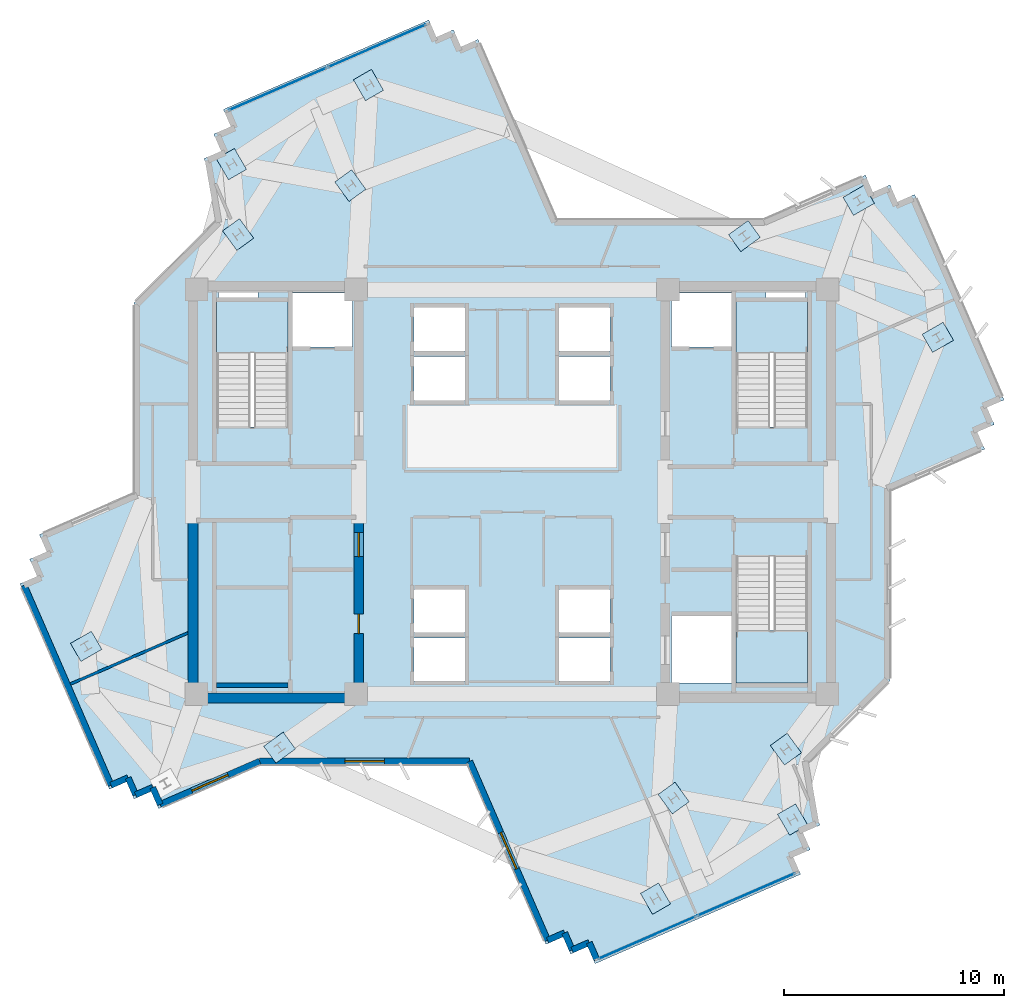
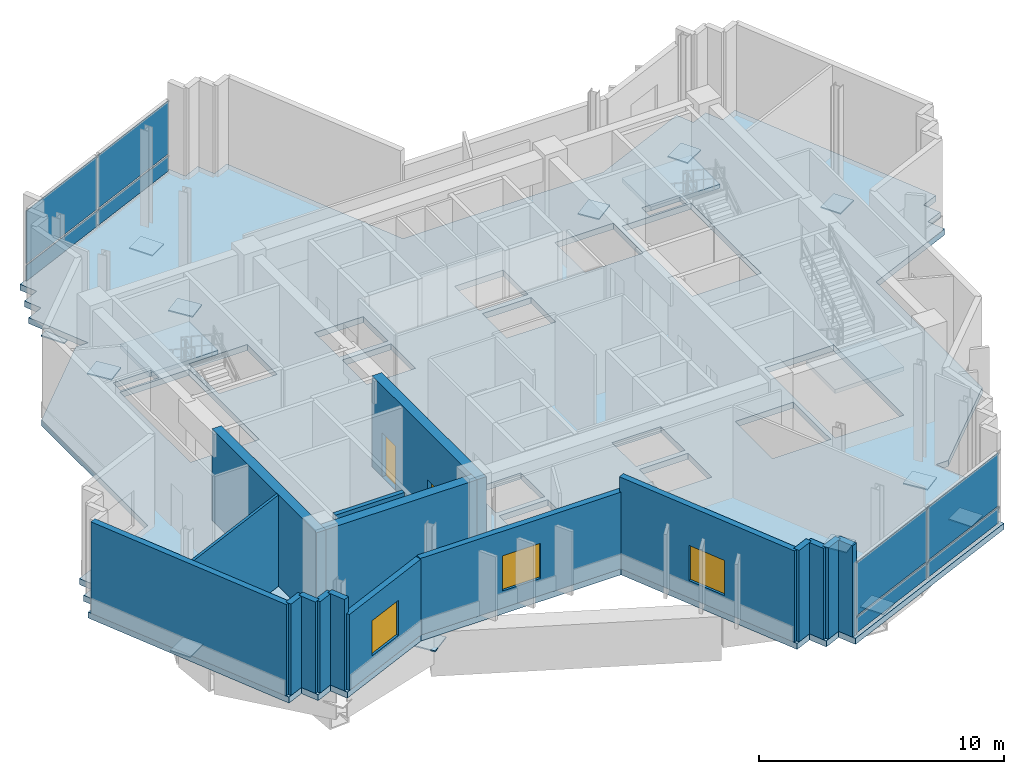
# One storey, part 4 of 11: 21 plates, 17 walls, 4 slabs, 3 windows, 2 doors, 5 openings, 5 elements without a shape of their own.
"""IFC4 building model written with IfcOpenShell, lengths in metres."""

from ifc_helpers import new_model, si_unit, direction, frame, frame_2d, origin, origin_2d, place, context, subcontext, project, spatial, polyline, rectangle, outline, extrude, source, transform, mapped, material, layer, layer_set, type_object, element, fill, aggregate, save


model = new_model("IFC4")

# Units and contexts
model_context = context("Model", 3, precision=1e-05, world=origin(), true_north=direction((0.0, 1.0)))
body_context = subcontext(model_context, "Body", "Model", "MODEL_VIEW")
ifc_project = project(units=[si_unit("LENGTHUNIT", "METRE"), si_unit("AREAUNIT", "SQUARE_METRE"), si_unit("VOLUMEUNIT", "CUBIC_METRE"), si_unit("PLANEANGLEUNIT", "RADIAN"), si_unit("MASSUNIT", "GRAM", prefix="KILO")], contexts=[model_context])

# Site, building, storey
site_placement = place(None, origin())
site = spatial("IfcSite", under=ifc_project, at=site_placement, CompositionType="ELEMENT")
building_placement = place(site_placement, origin())
building = spatial("IfcBuilding", under=site, at=building_placement, Name="Zahravan Cultural Tower", CompositionType="ELEMENT")
storey_placement = place(building_placement, frame((0.0, 0.0, 234.300048828125)))
storey = spatial("IfcBuildingStorey", under=building, at=storey_placement, Name="L55", CompositionType="ELEMENT", Elevation=234.300048828125)

# Slab
ifc_material_1 = material(Name="Concrete C45/55", Category="concrete")
ifc_layer_1 = layer(ifc_material_1, 0.300048828125)
ifc_layer_set_1 = layer_set([ifc_layer_1], Name="Concrete C45/55")
slab_type_1 = type_object("IfcSlabType", Name="SL-POD-300", PredefinedType="FLOOR", material=ifc_layer_set_1)
slab_1_placement = place(storey_placement, frame((0.0, 0.0, -0.300048828125)))
element("IfcSlab", 1, at=slab_1_placement, inside=storey, type_object=slab_type_1, Name="L55 Structural Floor Slab", PredefinedType="FLOOR", context=body_context, shape_type="SweptSolid", body=[
    extrude(outline(polyline([(47.453369140625, 39.39990234375), (38.02001953125, 39.39990234375), (34.454345703125, 47.59375), (33.675048828125, 47.254638671875), (33.335693359375, 48.033935546875), (32.556396484375, 47.69482421875), (32.21728515625, 48.47412109375), (22.864501953125, 44.404296875), (23.20361328125, 43.624755859375), (22.42431640625, 43.28564453125), (22.763427734375, 42.50634765625), (21.98388671875, 42.1669921875), (23.18798828125, 39.39990234375), (22.60009765625, 39.39990234375), (18.800048828125, 35.60009765625), (18.800048828125, 26.93115234375), (14.4892578125, 25.055419921875), (14.82861328125, 24.27587890625), (14.049072265625, 23.936767578125), (14.38818359375, 23.157470703125), (13.60888671875, 22.818359375), (17.6787109375, 13.46533203125), (18.458251953125, 13.8046875), (18.79736328125, 13.025146484375), (19.576904296875, 13.3642578125), (19.916015625, 12.5849609375), (24.546630859375, 14.60009765625), (33.97998046875, 14.60009765625), (37.545654296875, 6.40625), (38.324951171875, 6.745361328125), (38.664306640625, 5.966064453125), (39.443603515625, 6.30517578125), (39.78271484375, 5.52587890625), (49.135498046875, 9.595703125), (48.79638671875, 10.375244140625), (49.57568359375, 10.71435546875), (49.236572265625, 11.49365234375), (50.01611328125, 11.8330078125), (48.81201171875, 14.60009765625), (49.39990234375, 14.60009765625), (53.199951171875, 18.39990234375), (53.199951171875, 27.06884765625), (57.5107421875, 28.944580078125), (57.17138671875, 29.72412109375), (57.950927734375, 30.063232421875), (57.61181640625, 30.842529296875), (58.39111328125, 31.181640625), (54.3212890625, 40.53466796875), (53.541748046875, 40.1953125), (53.20263671875, 40.974853515625), (52.423095703125, 40.6357421875), (52.083984375, 41.4150390625), (47.453369140625, 39.39990234375)]), holes=[polyline([(22.550048828125, 29.949951171875), (22.550048828125, 35.699951171875), (25.800048828125, 35.699951171875), (25.800048828125, 29.949951171875), (22.550048828125, 29.949951171875)]), polyline([(46.199951171875, 29.949951171875), (46.199951171875, 35.699951171875), (49.449951171875, 35.699951171875), (49.449951171875, 29.949951171875), (46.199951171875, 29.949951171875)]), polyline([(46.199951171875, 18.300048828125), (46.199951171875, 24.050048828125), (49.449951171875, 24.050048828125), (49.449951171875, 18.300048828125), (46.199951171875, 18.300048828125)]), polyline([(26.0, 33.60009765625), (26.0, 36.050048828125), (28.75, 36.050048828125), (28.75, 33.60009765625), (26.0, 33.60009765625)]), polyline([(43.25, 33.60009765625), (43.25, 36.050048828125), (46.0, 36.050048828125), (46.0, 33.60009765625), (43.25, 33.60009765625)]), polyline([(43.25, 18.300048828125), (43.25, 21.35009765625), (46.0, 21.35009765625), (46.0, 18.300048828125), (43.25, 18.300048828125)]), polyline([(31.550048828125, 33.39990234375), (31.550048828125, 35.39990234375), (33.85009765625, 35.39990234375), (33.85009765625, 33.39990234375), (31.550048828125, 33.39990234375)]), polyline([(31.550048828125, 31.14990234375), (31.550048828125, 33.14990234375), (33.85009765625, 33.14990234375), (33.85009765625, 31.14990234375), (31.550048828125, 31.14990234375)]), polyline([(38.14990234375, 33.39990234375), (38.14990234375, 35.39990234375), (40.449951171875, 35.39990234375), (40.449951171875, 33.39990234375), (38.14990234375, 33.39990234375)]), polyline([(38.14990234375, 31.14990234375), (38.14990234375, 33.14990234375), (40.449951171875, 33.14990234375), (40.449951171875, 31.14990234375), (38.14990234375, 31.14990234375)]), polyline([(31.550048828125, 20.60009765625), (31.550048828125, 22.550048828125), (33.85009765625, 22.550048828125), (33.85009765625, 20.60009765625), (31.550048828125, 20.60009765625)]), polyline([(31.550048828125, 18.39990234375), (31.550048828125, 20.35009765625), (33.85009765625, 20.35009765625), (33.85009765625, 18.39990234375), (31.550048828125, 18.39990234375)]), polyline([(38.14990234375, 20.60009765625), (38.14990234375, 22.550048828125), (40.449951171875, 22.550048828125), (40.449951171875, 20.60009765625), (38.14990234375, 20.60009765625)]), polyline([(38.14990234375, 18.39990234375), (38.14990234375, 20.35009765625), (40.449951171875, 20.35009765625), (40.449951171875, 18.39990234375), (38.14990234375, 18.39990234375)]), polyline([(22.64990234375, 35.800048828125), (22.64990234375, 36.419921875), (24.449951171875, 36.419921875), (24.449951171875, 35.800048828125), (22.64990234375, 35.800048828125)]), polyline([(47.550048828125, 35.800048828125), (47.550048828125, 36.419921875), (49.35009765625, 36.419921875), (49.35009765625, 35.800048828125), (47.550048828125, 35.800048828125)])]), origin(), (0.0, 0.0, 1.0), 0.300048828125),
])

# Stair, slab
stair_type = type_object("IfcStairType", Name="STR-DL-1550-480", PredefinedType="HALF_TURN_STAIR", material=ifc_material_1)
stair_1_placement = place(storey_placement, origin())
stair_1 = element("IfcStair", 2, at=stair_1_placement, inside=storey, type_object=stair_type, Name="L55 West Core North Exit Stair ST-W1", PredefinedType="HALF_TURN_STAIR")
ifc_layer_2 = layer(ifc_material_1, 0.199951171875)
ifc_layer_set_2 = layer_set([ifc_layer_2], Name="Concrete C45/55")
slab_type_2 = type_object("IfcSlabType", Name="SL-STAIR-LND200", PredefinedType="LANDING", material=ifc_layer_set_2)
slab_2_placement = place(storey_placement, frame((0.0, 0.0, 2.199951171875)))
slab_2 = element("IfcSlab", 3, at=slab_2_placement, type_object=slab_type_2, Name="ST-W1 landing 1", PredefinedType="LANDING", context=body_context, shape_type="SweptSolid", body=[
    extrude(outline(polyline([(25.800048828125, 33.31005859375), (25.800048828125, 35.699951171875), (22.550048828125, 35.699951171875), (22.550048828125, 33.31005859375), (25.800048828125, 33.31005859375)])), origin(), (0.0, 0.0, 1.0), 0.199951171875),
])
aggregate(stair_1, [slab_2])

stair_2_placement = place(storey_placement, origin())
stair_2 = element("IfcStair", 4, at=stair_2_placement, inside=storey, type_object=stair_type, Name="L55 East Core North Exit Stair ST-E1", PredefinedType="HALF_TURN_STAIR")
slab_3_placement = place(storey_placement, frame((0.0, 0.0, 2.199951171875)))
slab_3 = element("IfcSlab", 5, at=slab_3_placement, type_object=slab_type_2, Name="ST-E1 landing 1", PredefinedType="LANDING", context=body_context, shape_type="SweptSolid", body=[
    extrude(outline(polyline([(49.449951171875, 33.31005859375), (49.449951171875, 35.699951171875), (46.199951171875, 35.699951171875), (46.199951171875, 33.31005859375), (49.449951171875, 33.31005859375)])), origin(), (0.0, 0.0, 1.0), 0.199951171875),
])
aggregate(stair_2, [slab_3])

stair_3_placement = place(storey_placement, origin())
stair_3 = element("IfcStair", 6, at=stair_3_placement, inside=storey, type_object=stair_type, Name="L55 East Core South Exit Stair ST-E2", PredefinedType="HALF_TURN_STAIR")
slab_4_placement = place(storey_placement, frame((0.0, 0.0, 2.199951171875)))
slab_4 = element("IfcSlab", 7, at=slab_4_placement, type_object=slab_type_2, Name="ST-E2 landing 1", PredefinedType="LANDING", context=body_context, shape_type="SweptSolid", body=[
    extrude(outline(polyline([(46.199951171875, 20.68994140625), (46.199951171875, 18.300048828125), (49.449951171875, 18.300048828125), (49.449951171875, 20.68994140625), (46.199951171875, 20.68994140625)])), origin(), (0.0, 0.0, 1.0), 0.199951171875),
])
aggregate(stair_3, [slab_4])

# Plates
ifc_material_2 = material(Name="Steel ASTM A572 Grade 50", Category="steel")
ifc_layer_3 = layer(ifc_material_2, 0.06005859375)
ifc_layer_set_3 = layer_set([ifc_layer_3], Name="Steel ASTM A572 Grade 50")
plate_type_1 = type_object("IfcPlateType", Name="PL-NODE-60", PredefinedType="SHEET", material=ifc_layer_set_3)
shared_shape_1 = source(origin(), body_context, "Body", "SweptSolid", [
    extrude(rectangle(XDim=1.10009765625, YDim=0.949951171875, at=origin_2d()), origin(), (0.0, 0.0, 1.0), 0.06005859375),
])
for number, where, z_axis, x_axis, name in (
    (8, (16.61962890625, 19.9677734375, -1.130126953125), (0.0, 0.0, 1.0), (0.866025403784, 0.5, 0.0), "L55 Transfer Node Plate TN2"),
    (9, (25.422119140625, 15.359375, -1.130126953125), (0.0, 0.0, 1.0), (0.809016994375, 0.587785252292, 0.0), "L55 Transfer Node Plate TN2"),
    (10, (42.5322265625, 8.485595703125, -1.130126953125), (0.0, 0.0, 1.0), (-0.5, 0.866025403784, 0.0), "L55 Transfer Node Plate TN2"),
    (11, (43.357421875, 13.062744140625, -1.130126953125), (0.0, 0.0, 1.0), (-0.587785252292, 0.809016994375, 0.0), "L55 Transfer Node Plate TN2"),
    (12, (48.767578125, 12.085693359375, -1.130126953125), (0.0, 0.0, 1.0), (-0.5, 0.866025403784, 0.0), "L55 Transfer Node Plate TN2"),
    (13, (48.463623046875, 15.289306640625, -1.130126953125), (0.0, 0.0, 1.0), (-0.587785252292, 0.809016994375, 0.0), "L55 Transfer Node Plate TN2"),
    (14, (55.38037109375, 34.0322265625, -1.130126953125), (0.0, 0.0, 1.0), (0.866025403784, 0.5, 0.0), "L55 Transfer Node Plate TN2"),
    (15, (51.7802734375, 40.267578125, -1.130126953125), (0.0, 0.0, 1.0), (0.866025403784, 0.5, 0.0), "L55 Transfer Node Plate TN2"),
    (16, (46.577880859375, 38.640625, -1.130126953125), (0.0, 0.0, 1.0), (0.809016994375, 0.587785252292, 0.0), "L55 Transfer Node Plate TN2"),
    (17, (29.4677734375, 45.514404296875, -1.130126953125), (0.0, 0.0, 1.0), (-0.5, 0.866025403784, 0.0), "L55 Transfer Node Plate TN2"),
    (18, (28.642578125, 40.937255859375, -1.130126953125), (0.0, 0.0, 1.0), (-0.587785252292, 0.809016994375, 0.0), "L55 Transfer Node Plate TN2"),
    (19, (23.232421875, 41.914306640625, -1.130126953125), (0.0, 0.0, 1.0), (-0.5, 0.866025403784, 0.0), "L55 Transfer Node Plate TN2"),
    (20, (23.536376953125, 38.710693359375, -1.130126953125), (0.0, 0.0, 1.0), (-0.587785252292, 0.809016994375, 0.0), "L55 Transfer Node Plate TN2"),
):
    element("IfcPlate", number, at=place(storey_placement, frame(where, z_axis=z_axis, x_axis=x_axis)), inside=storey, type_object=plate_type_1, Name=name, PredefinedType="SHEET", context=body_context, shape_type="MappedRepresentation", body=[
        mapped(shared_shape_1, transform((0.0, 0.0, 0.0), x_axis=(1.0, 0.0, 0.0), y_axis=(0.0, 1.0, 0.0), z_axis=(0.0, 0.0, 1.0), scale=1.0)),
    ])

# Curtain wall, plates
ifc_material_3 = material(Name="Anodised bronze-aluminium mullion", Category="aluminium")
ifc_layer_4 = layer(ifc_material_3, 0.239990234375)
ifc_layer_set_4 = layer_set([ifc_layer_4], Name="Anodised bronze-aluminium mullion")
curtain_wall_type = type_object("IfcCurtainWallType", Name="CW-SYS-5", PredefinedType="USERDEFINED", material=ifc_layer_set_4)
curtain_wall_1_placement = place(storey_placement, origin())
curtain_wall_1 = element("IfcCurtainWall", 21, at=curtain_wall_1_placement, inside=storey, type_object=curtain_wall_type, Name="L55 Recessed Curtain Wall CW-5.1", ObjectType="RECESSED GLAZING", PredefinedType="USERDEFINED")
ifc_material_4 = material(Name="Low-E solar-control double glazing", Category="glass")
ifc_layer_5 = layer(ifc_material_4, 0.035888671875)
ifc_layer_set_5 = layer_set([ifc_layer_5], Name="Low-E solar-control double glazing")
plate_type_2 = type_object("IfcPlateType", Name="CWP-CW-5", PredefinedType="CURTAIN_PANEL", material=ifc_layer_set_5)
shared_shape_2 = source(origin(), body_context, "Body", "SweptSolid", [
    extrude(rectangle(XDim=4.83251953125, YDim=0.035888671875, at=origin_2d()), origin(), (0.0, 0.0, 1.0), 0.7724609375),
])
plate_1_placement = place(storey_placement, frame((46.657958984375, 8.670166015625, 0.0849609375), z_axis=(0.0, 0.0, 1.0), x_axis=(-0.916943563009, -0.399016919762, 0.0)))
plate_1 = element("IfcPlate", 22, at=plate_1_placement, type_object=plate_type_2, Name="CW-5 panel 1.1", PredefinedType="CURTAIN_PANEL", context=body_context, shape_type="MappedRepresentation", body=[
    mapped(shared_shape_2, transform((0.0, 0.0, 0.0), x_axis=(1.0, 0.0, 0.0), y_axis=(0.0, 1.0, 0.0), z_axis=(0.0, 0.0, 1.0), scale=1.0)),
])
plate_2_placement = place(storey_placement, frame((42.148681640625, 6.7080078125, 0.0849609375), z_axis=(0.0, 0.0, 1.0), x_axis=(-0.916943563009, -0.399016919762, 0.0)))
plate_2 = element("IfcPlate", 23, at=plate_2_placement, type_object=plate_type_2, Name="CW-5 panel 2.1", PredefinedType="CURTAIN_PANEL", context=body_context, shape_type="MappedRepresentation", body=[
    mapped(shared_shape_2, transform((0.0, 0.0, 0.0), x_axis=(1.0, 0.0, 0.0), y_axis=(0.0, 1.0, 0.0), z_axis=(0.0, 0.0, 1.0), scale=1.0)),
])

curtain_wall_2_placement = place(storey_placement, origin())
curtain_wall_2 = element("IfcCurtainWall", 24, at=curtain_wall_2_placement, inside=storey, type_object=curtain_wall_type, Name="L55 Recessed Curtain Wall CW-5.2", ObjectType="RECESSED GLAZING", PredefinedType="USERDEFINED")
plate_3_placement = place(storey_placement, frame((25.342041015625, 45.329833984375, 0.0849609375), z_axis=(0.0, 0.0, 1.0), x_axis=(0.916943563009, 0.399016919762, 0.0)))
plate_3 = element("IfcPlate", 25, at=plate_3_placement, type_object=plate_type_2, Name="CW-5 panel 1.1", PredefinedType="CURTAIN_PANEL", context=body_context, shape_type="MappedRepresentation", body=[
    mapped(shared_shape_2, transform((0.0, 0.0, 0.0), x_axis=(1.0, 0.0, 0.0), y_axis=(0.0, 1.0, 0.0), z_axis=(0.0, 0.0, 1.0), scale=1.0)),
])
plate_4_placement = place(storey_placement, frame((29.851318359375, 47.2919921875, 0.0849609375), z_axis=(0.0, 0.0, 1.0), x_axis=(0.916943563009, 0.399016919762, 0.0)))
plate_4 = element("IfcPlate", 26, at=plate_4_placement, type_object=plate_type_2, Name="CW-5 panel 2.1", PredefinedType="CURTAIN_PANEL", context=body_context, shape_type="MappedRepresentation", body=[
    mapped(shared_shape_2, transform((0.0, 0.0, 0.0), x_axis=(1.0, 0.0, 0.0), y_axis=(0.0, 1.0, 0.0), z_axis=(0.0, 0.0, 1.0), scale=1.0)),
])

# Plate
shared_shape_3 = source(origin(), body_context, "Body", "SweptSolid", [
    extrude(rectangle(XDim=4.83251953125, YDim=0.035888671875, at=origin_2d()), origin(), (0.0, 0.0, 1.0), 2.642578125),
])
plate_5_placement = place(storey_placement, frame((46.657958984375, 8.670166015625, 0.9423828125), z_axis=(0.0, 0.0, 1.0), x_axis=(-0.916943563009, -0.399016919762, 0.0)))
plate_5 = element("IfcPlate", 27, at=plate_5_placement, type_object=plate_type_2, Name="CW-5 panel 1.2", PredefinedType="CURTAIN_PANEL", context=body_context, shape_type="MappedRepresentation", body=[
    mapped(shared_shape_3, transform((0.0, 0.0, 0.0), x_axis=(1.0, 0.0, 0.0), y_axis=(0.0, 1.0, 0.0), z_axis=(0.0, 0.0, 1.0), scale=1.0)),
])

plate_6_placement = place(storey_placement, frame((42.148681640625, 6.7080078125, 0.9423828125), z_axis=(0.0, 0.0, 1.0), x_axis=(-0.916943563009, -0.399016919762, 0.0)))
plate_6 = element("IfcPlate", 28, at=plate_6_placement, type_object=plate_type_2, Name="CW-5 panel 2.2", PredefinedType="CURTAIN_PANEL", context=body_context, shape_type="MappedRepresentation", body=[
    mapped(shared_shape_3, transform((0.0, 0.0, 0.0), x_axis=(1.0, 0.0, 0.0), y_axis=(0.0, 1.0, 0.0), z_axis=(0.0, 0.0, 1.0), scale=1.0)),
])

aggregate(curtain_wall_1, [plate_1, plate_5, plate_2, plate_6])

plate_7_placement = place(storey_placement, frame((25.342041015625, 45.329833984375, 0.9423828125), z_axis=(0.0, 0.0, 1.0), x_axis=(0.916943563009, 0.399016919762, 0.0)))
plate_7 = element("IfcPlate", 29, at=plate_7_placement, type_object=plate_type_2, Name="CW-5 panel 1.2", PredefinedType="CURTAIN_PANEL", context=body_context, shape_type="MappedRepresentation", body=[
    mapped(shared_shape_3, transform((0.0, 0.0, 0.0), x_axis=(1.0, 0.0, 0.0), y_axis=(0.0, 1.0, 0.0), z_axis=(0.0, 0.0, 1.0), scale=1.0)),
])

plate_8_placement = place(storey_placement, frame((29.851318359375, 47.2919921875, 0.9423828125), z_axis=(0.0, 0.0, 1.0), x_axis=(0.916943563009, 0.399016919762, 0.0)))
plate_8 = element("IfcPlate", 30, at=plate_8_placement, type_object=plate_type_2, Name="CW-5 panel 2.2", PredefinedType="CURTAIN_PANEL", context=body_context, shape_type="MappedRepresentation", body=[
    mapped(shared_shape_3, transform((0.0, 0.0, 0.0), x_axis=(1.0, 0.0, 0.0), y_axis=(0.0, 1.0, 0.0), z_axis=(0.0, 0.0, 1.0), scale=1.0)),
])

aggregate(curtain_wall_2, [plate_3, plate_7, plate_4, plate_8])

# Wall, openings, doors
ifc_material_5 = material(Name="Concrete C50/60", Category="concrete")
ifc_layer_6 = layer(ifc_material_5, 0.449951171875)
ifc_layer_set_6 = layer_set([ifc_layer_6], Name="Concrete C50/60")
wall_type_1 = type_object("IfcWallType", Name="CW-SHEAR-450-C50", PredefinedType="SHEAR", material=ifc_layer_set_6)
wall_1_placement = place(storey_placement, frame((29.02490234375, 17.39990234375, 0.0), z_axis=(0.0, 0.0, 1.0), x_axis=(0.0, 1.0, 0.0)))
wall_1 = element("IfcWall", 31, at=wall_1_placement, inside=storey, type_object=wall_type_1, Name="L55 Core Shear Wall CW-W-ES-L55", PredefinedType="SHEAR", context=body_context, shape_type="SweptSolid", body=[
    extrude(rectangle(XDim=8.550048828125, YDim=0.449951171875, at=frame_2d((4.27490234375, 0.0))), origin(), (0.0, 0.0, 1.0), 4.550048828125),
])
opening_1_placement = place(wall_1_placement, frame((6.64990234375, 0.0, 0.0)))
opening_1 = element("IfcOpeningElement", 32, at=opening_1_placement, cuts=wall_1, Name="Opening D-L55-08", PredefinedType="OPENING", context=body_context, shape_type="SweptSolid", body=[
    extrude(rectangle(XDim=1.10009765625, YDim=2.199951171875, at=frame_2d((0.550048828125, 1.10009765625))), frame((0.0, 0.23486328125, 0.0), z_axis=(0.0, -1.0, 0.0), x_axis=(1.0, 0.0, 0.0)), (0.0, 0.0, 1.0), 0.469970703125),
])
opening_2_placement = place(wall_1_placement, frame((3.14990234375, 0.0, 0.0)))
opening_2 = element("IfcOpeningElement", 33, at=opening_2_placement, cuts=wall_1, Name="Opening D-L55-10", PredefinedType="OPENING", context=body_context, shape_type="SweptSolid", body=[
    extrude(rectangle(XDim=0.8798828125, YDim=2.10009765625, at=frame_2d((0.43994140625, 1.050048828125))), frame((0.0, 0.23486328125, 0.0), z_axis=(0.0, -1.0, 0.0), x_axis=(1.0, 0.0, 0.0)), (0.0, 0.0, 1.0), 0.469970703125),
])
door_type_1 = type_object("IfcDoorType", Name="DR-LOBBY-1100", OperationType="NOTDEFINED", PredefinedType="DOOR", material=ifc_material_2)
shared_shape_4 = source(origin(), body_context, "Body", "SweptSolid", [
    extrude(rectangle(XDim=1.10009765625, YDim=2.199951171875, at=frame_2d((0.550048828125, 1.10009765625))), frame((0.0, 0.02490234375, 0.0), z_axis=(0.0, -1.0, 0.0), x_axis=(1.0, 0.0, 0.0)), (0.0, 0.0, 1.0), 0.050048828125),
])
door_1_placement = place(opening_1_placement, origin())
door_1 = element("IfcDoor", 34, at=door_1_placement, inside=storey, type_object=door_type_1, Name="L55 Door D-L55-08", OperationType="SINGLE_SWING_RIGHT", OverallHeight=2.199951171875, OverallWidth=1.10009765625, PredefinedType="DOOR", context=body_context, shape_type="MappedRepresentation", body=[
    mapped(shared_shape_4, transform((0.0, 0.0, 0.0), x_axis=(1.0, 0.0, 0.0), y_axis=(0.0, 1.0, 0.0), z_axis=(0.0, 0.0, 1.0), scale=1.0)),
])
fill(opening_1, door_1)
door_type_2 = type_object("IfcDoorType", Name="DR-SVC-880", OperationType="NOTDEFINED", PredefinedType="DOOR", material=ifc_material_2)
shared_shape_5 = source(origin(), body_context, "Body", "SweptSolid", [
    extrude(rectangle(XDim=0.8798828125, YDim=2.10009765625, at=frame_2d((0.43994140625, 1.050048828125))), frame((0.0, 0.02490234375, 0.0), z_axis=(0.0, -1.0, 0.0), x_axis=(1.0, 0.0, 0.0)), (0.0, 0.0, 1.0), 0.050048828125),
])
door_2_placement = place(opening_2_placement, origin())
door_2 = element("IfcDoor", 35, at=door_2_placement, inside=storey, type_object=door_type_2, Name="L55 Door D-L55-10", OperationType="SINGLE_SWING_RIGHT", OverallHeight=2.10009765625, OverallWidth=0.8798828125, PredefinedType="DOOR", context=body_context, shape_type="MappedRepresentation", body=[
    mapped(shared_shape_5, transform((0.0, 0.0, 0.0), x_axis=(1.0, 0.0, 0.0), y_axis=(0.0, 1.0, 0.0), z_axis=(0.0, 0.0, 1.0), scale=1.0)),
])
fill(opening_2, door_2)

# Wall, opening, window
ifc_material_6 = material(Name="Precast concrete C40/50", Category="concrete")
ifc_layer_7 = layer(ifc_material_6, 0.280029296875)
ifc_layer_set_7 = layer_set([ifc_layer_7], Name="Precast concrete C40/50")
wall_type_2 = type_object("IfcWallType", Name="EW-TC-280", PredefinedType="SOLIDWALL", material=ifc_layer_set_7)
wall_2_placement = place(storey_placement, frame((37.6181640625, 6.590576171875, 0.0), z_axis=(0.0, 0.0, 1.0), x_axis=(-0.399025418612, 0.916939864605, 0.0)))
wall_2 = element("IfcWall", 36, at=wall_2_placement, inside=storey, type_object=wall_type_2, Name="L55 Exterior Masonry Frame Wall 23", PredefinedType="SOLIDWALL", context=body_context, shape_type="SweptSolid", body=[
    extrude(rectangle(XDim=8.8876953125, YDim=0.280029296875, at=frame_2d((4.44384765625, 0.0))), origin(), (0.0, 0.0, 1.0), 4.550048828125),
])
opening_3_placement = place(wall_2_placement, frame((3.5439453125, 0.0, 0.85009765625)))
opening_3 = element("IfcOpeningElement", 37, at=opening_3_placement, cuts=wall_2, Name="Opening WN-02", PredefinedType="OPENING", context=body_context, shape_type="SweptSolid", body=[
    extrude(rectangle(XDim=1.800048828125, YDim=1.75, at=frame_2d((0.89990234375, 0.875))), frame((0.0, 0.14990234375, 0.0), z_axis=(0.0, -1.0, 0.0), x_axis=(1.0, 0.0, 0.0)), (0.0, 0.0, 1.0), 0.300048828125),
])
window_type = type_object("IfcWindowType", Name="WN-REC-1800X1750", PartitioningType="DOUBLE_PANEL_VERTICAL", PredefinedType="WINDOW", material=ifc_material_4)
shared_shape_6 = source(origin(), body_context, "Body", "SweptSolid", [
    extrude(rectangle(XDim=1.800048828125, YDim=1.75, at=frame_2d((0.89990234375, 0.875))), frame((0.0, 0.030029296875, 0.0), z_axis=(0.0, -1.0, 0.0), x_axis=(1.0, 0.0, 0.0)), (0.0, 0.0, 1.0), 0.06005859375),
])
window_1_placement = place(opening_3_placement, origin())
window_1 = element("IfcWindow", 38, at=window_1_placement, inside=storey, type_object=window_type, Name="L55 Recessed Solar Window 05", OverallHeight=1.75, OverallWidth=1.800048828125, PartitioningType="DOUBLE_PANEL_VERTICAL", PredefinedType="WINDOW", context=body_context, shape_type="MappedRepresentation", body=[
    mapped(shared_shape_6, transform((0.0, 0.0, 0.0), x_axis=(1.0, 0.0, 0.0), y_axis=(0.0, 1.0, 0.0), z_axis=(0.0, 0.0, 1.0), scale=1.0)),
])
fill(opening_3, window_1)

wall_3_placement = place(storey_placement, frame((34.07177734375, 14.739990234375, 0.0), z_axis=(0.0, 0.0, 1.0), x_axis=(-1.0, 0.0, 0.0)))
wall_3 = element("IfcWall", 39, at=wall_3_placement, inside=storey, type_object=wall_type_2, Name="L55 Exterior Masonry Frame Wall 24", PredefinedType="SOLIDWALL", context=body_context, shape_type="SweptSolid", body=[
    extrude(rectangle(XDim=9.55419921875, YDim=0.280029296875, at=frame_2d((4.777099609375, 0.0))), origin(), (0.0, 0.0, 1.0), 3.822021484375),
])
opening_4_placement = place(wall_3_placement, frame((3.876953125, 0.0, 0.85009765625)))
opening_4 = element("IfcOpeningElement", 40, at=opening_4_placement, cuts=wall_3, Name="Opening WN-02", PredefinedType="OPENING", context=body_context, shape_type="SweptSolid", body=[
    extrude(rectangle(XDim=1.800048828125, YDim=1.75, at=frame_2d((0.89990234375, 0.875))), frame((0.0, 0.14990234375, 0.0), z_axis=(0.0, -1.0, 0.0), x_axis=(1.0, 0.0, 0.0)), (0.0, 0.0, 1.0), 0.300048828125),
])
window_2_placement = place(opening_4_placement, origin())
window_2 = element("IfcWindow", 41, at=window_2_placement, inside=storey, type_object=window_type, Name="L55 Recessed Solar Window 06", OverallHeight=1.75, OverallWidth=1.800048828125, PartitioningType="DOUBLE_PANEL_VERTICAL", PredefinedType="WINDOW", context=body_context, shape_type="MappedRepresentation", body=[
    mapped(shared_shape_6, transform((0.0, 0.0, 0.0), x_axis=(1.0, 0.0, 0.0), y_axis=(0.0, 1.0, 0.0), z_axis=(0.0, 0.0, 1.0), scale=1.0)),
])
fill(opening_4, window_2)

wall_4_placement = place(storey_placement, frame((24.517578125, 14.739990234375, 0.0), z_axis=(0.0, 0.0, 1.0), x_axis=(-0.916937202251, -0.399031536509, 0.0)))
wall_4 = element("IfcWall", 42, at=wall_4_placement, inside=storey, type_object=wall_type_2, Name="L55 Exterior Masonry Frame Wall 25", PredefinedType="SOLIDWALL", context=body_context, shape_type="SweptSolid", body=[
    extrude(rectangle(XDim=4.939208984375, YDim=0.280029296875, at=frame_2d((2.4697265625, 0.0))), origin(), (0.0, 0.0, 1.0), 3.780029296875),
])
opening_5_placement = place(wall_4_placement, frame((1.570068359375, 0.0, 0.85009765625)))
opening_5 = element("IfcOpeningElement", 43, at=opening_5_placement, cuts=wall_4, Name="Opening WN-02", PredefinedType="OPENING", context=body_context, shape_type="SweptSolid", body=[
    extrude(rectangle(XDim=1.800048828125, YDim=1.75, at=frame_2d((0.89990234375, 0.875))), frame((0.0, 0.14990234375, 0.0), z_axis=(0.0, -1.0, 0.0), x_axis=(1.0, 0.0, 0.0)), (0.0, 0.0, 1.0), 0.300048828125),
])
window_3_placement = place(opening_5_placement, origin())
window_3 = element("IfcWindow", 44, at=window_3_placement, inside=storey, type_object=window_type, Name="L55 Recessed Solar Window 07", OverallHeight=1.75, OverallWidth=1.800048828125, PartitioningType="DOUBLE_PANEL_VERTICAL", PredefinedType="WINDOW", context=body_context, shape_type="MappedRepresentation", body=[
    mapped(shared_shape_6, transform((0.0, 0.0, 0.0), x_axis=(1.0, 0.0, 0.0), y_axis=(0.0, 1.0, 0.0), z_axis=(0.0, 0.0, 1.0), scale=1.0)),
])
fill(opening_5, window_3)

# Walls
shared_shape_7 = source(origin(), body_context, "Body", "SweptSolid", [
    extrude(rectangle(XDim=8.550048828125, YDim=0.449951171875, at=frame_2d((4.27490234375, 0.0))), origin(), (0.0, 0.0, 1.0), 4.550048828125),
])
wall_5_placement = place(storey_placement, frame((21.47509765625, 17.39990234375, 0.0), z_axis=(0.0, 0.0, 1.0), x_axis=(0.0, 1.0, 0.0)))
element("IfcWall", 45, at=wall_5_placement, inside=storey, type_object=wall_type_1, Name="L55 Core Shear Wall CW-W-WS-L55", PredefinedType="SHEAR", context=body_context, shape_type="MappedRepresentation", body=[
    mapped(shared_shape_7, transform((0.0, 0.0, 0.0), x_axis=(1.0, 0.0, 0.0), y_axis=(0.0, 1.0, 0.0), z_axis=(0.0, 0.0, 1.0), scale=1.0)),
])
shared_shape_8 = source(origin(), body_context, "Body", "SweptSolid", [
    extrude(rectangle(XDim=7.10009765625, YDim=0.449951171875, at=frame_2d((3.550048828125, 0.0))), origin(), (0.0, 0.0, 1.0), 4.550048828125),
])
wall_6_placement = place(storey_placement, frame((21.699951171875, 17.625, 0.0), z_axis=(0.0, 0.0, 1.0), x_axis=(1.0, 0.0, 0.0)))
element("IfcWall", 46, at=wall_6_placement, inside=storey, type_object=wall_type_1, Name="L55 Core Shear Wall CW-W-S-L55", PredefinedType="SHEAR", context=body_context, shape_type="MappedRepresentation", body=[
    mapped(shared_shape_8, transform((0.0, 0.0, 0.0), x_axis=(1.0, 0.0, 0.0), y_axis=(0.0, 1.0, 0.0), z_axis=(0.0, 0.0, 1.0), scale=1.0)),
])
shared_shape_9 = source(origin(), body_context, "Body", "SweptSolid", [
    extrude(rectangle(XDim=0.85009765625, YDim=0.280029296875, at=frame_2d((0.425048828125, 0.0))), origin(), (0.0, 0.0, 1.0), 4.550048828125),
])
for number, where, z_axis, x_axis, name in (
    (47, (39.855224609375, 5.7099609375, 0.0), (0.0, 0.0, 1.0), (-0.398904626351, 0.916992420403, 0.0), "L55 Exterior Masonry Frame Wall 19"),
    (48, (39.51611328125, 6.489501953125, 0.0), (0.0, 0.0, 1.0), (-0.916841582309, -0.399251190291, 0.0), "L55 Exterior Masonry Frame Wall 20"),
    (49, (38.73681640625, 6.150146484375, 0.0), (0.0, 0.0, 1.0), (-0.399146074388, 0.916887349297, 0.0), "L55 Exterior Masonry Frame Wall 21"),
    (50, (19.988525390625, 12.76904296875, 0.0), (0.0, 0.0, 1.0), (-0.398904626351, 0.916992420403, 0.0), "L55 Exterior Masonry Frame Wall 26"),
    (51, (19.6494140625, 13.548583984375, 0.0), (0.0, 0.0, 1.0), (-0.916992420403, -0.398904626351, 0.0), "L55 Exterior Masonry Frame Wall 27"),
    (52, (18.53076171875, 13.98876953125, 0.0), (0.0, 0.0, 1.0), (-0.916992420403, -0.398904626351, 0.0), "L55 Exterior Masonry Frame Wall 29"),
):
    element("IfcWall", number, at=place(storey_placement, frame(where, z_axis=z_axis, x_axis=x_axis)), inside=storey, type_object=wall_type_2, Name=name, PredefinedType="SOLIDWALL", context=body_context, shape_type="MappedRepresentation", body=[
        mapped(shared_shape_9, transform((0.0, 0.0, 0.0), x_axis=(1.0, 0.0, 0.0), y_axis=(0.0, 1.0, 0.0), z_axis=(0.0, 0.0, 1.0), scale=1.0)),
    ])
shared_shape_10 = source(origin(), body_context, "Body", "SweptSolid", [
    extrude(rectangle(XDim=0.849853515625, YDim=0.280029296875, at=frame_2d((0.4248046875, 0.0))), origin(), (0.0, 0.0, 1.0), 4.550048828125),
])
for number, where, z_axis, x_axis, name in (
    (53, (38.3974609375, 6.9296875, 0.0), (0.0, 0.0, 1.0), (-0.916946703526, -0.399009702756, 0.0), "L55 Exterior Masonry Frame Wall 22"),
    (54, (18.869873046875, 13.20947265625, 0.0), (0.0, 0.0, 1.0), (-0.399009702756, 0.916946703526, 0.0), "L55 Exterior Masonry Frame Wall 28"),
):
    element("IfcWall", number, at=place(storey_placement, frame(where, z_axis=z_axis, x_axis=x_axis)), inside=storey, type_object=wall_type_2, Name=name, PredefinedType="SOLIDWALL", context=body_context, shape_type="MappedRepresentation", body=[
        mapped(shared_shape_10, transform((0.0, 0.0, 0.0), x_axis=(1.0, 0.0, 0.0), y_axis=(0.0, 1.0, 0.0), z_axis=(0.0, 0.0, 1.0), scale=1.0)),
    ])
shared_shape_11 = source(origin(), body_context, "Body", "SweptSolid", [
    extrude(rectangle(XDim=9.919921875, YDim=0.280029296875, at=frame_2d((4.9599609375, 0.0))), origin(), (0.0, 0.0, 1.0), 4.550048828125),
])
wall_7_placement = place(storey_placement, frame((17.751220703125, 13.649658203125, 0.0), z_axis=(0.0, 0.0, 1.0), x_axis=(-0.398992471769, 0.916954201404, 0.0)))
element("IfcWall", 55, at=wall_7_placement, inside=storey, type_object=wall_type_2, Name="L55 Exterior Masonry Frame Wall 30", PredefinedType="SOLIDWALL", context=body_context, shape_type="MappedRepresentation", body=[
    mapped(shared_shape_11, transform((0.0, 0.0, 0.0), x_axis=(1.0, 0.0, 0.0), y_axis=(0.0, 1.0, 0.0), z_axis=(0.0, 0.0, 1.0), scale=1.0)),
])
ifc_layer_8 = layer(ifc_material_1, 0.199951171875)
ifc_layer_set_8 = layer_set([ifc_layer_8], Name="Concrete C45/55")
wall_type_3 = type_object("IfcWallType", Name="W-SHAFT-200", PredefinedType="SOLIDWALL", material=ifc_layer_set_8)
shared_shape_12 = source(origin(), body_context, "Body", "SweptSolid", [
    extrude(rectangle(XDim=3.25, YDim=0.199951171875, at=frame_2d((1.625, 0.0))), origin(), (0.0, 0.0, 1.0), 4.550048828125),
])
wall_8_placement = place(storey_placement, frame((22.550048828125, 18.199951171875, 0.0), z_axis=(0.0, 0.0, 1.0), x_axis=(1.0, 0.0, 0.0)))
element("IfcWall", 56, at=wall_8_placement, inside=storey, type_object=wall_type_3, Name="L55 Interior Wall 019", PredefinedType="SOLIDWALL", context=body_context, shape_type="MappedRepresentation", body=[
    mapped(shared_shape_12, transform((0.0, 0.0, 0.0), x_axis=(1.0, 0.0, 0.0), y_axis=(0.0, 1.0, 0.0), z_axis=(0.0, 0.0, 1.0), scale=1.0)),
])
ifc_material_7 = material(Name="Gypsum plasterboard partition")
ifc_layer_9 = layer(ifc_material_7, 0.125)
ifc_layer_set_9 = layer_set([ifc_layer_9], Name="Gypsum plasterboard partition")
wall_type_4 = type_object("IfcWallType", Name="W-PART-125", PredefinedType="PARTITIONING", material=ifc_layer_set_9)
shared_shape_13 = source(origin(), body_context, "Body", "SweptSolid", [
    extrude(rectangle(XDim=5.823486328125, YDim=0.125, at=frame_2d((2.91162109375, 0.0))), origin(), (0.0, 0.0, 1.0), 4.550048828125),
])
wall_9_placement = place(storey_placement, frame((21.2451171875, 20.5791015625, 0.0), z_axis=(0.0, 0.0, 1.0), x_axis=(-0.916956044868, -0.398988235141, 0.0)))
element("IfcWall", 57, at=wall_9_placement, inside=storey, type_object=wall_type_4, Name="L55 Interior Wall 081", PredefinedType="PARTITIONING", context=body_context, shape_type="MappedRepresentation", body=[
    mapped(shared_shape_13, transform((0.0, 0.0, 0.0), x_axis=(1.0, 0.0, 0.0), y_axis=(0.0, 1.0, 0.0), z_axis=(0.0, 0.0, 1.0), scale=1.0)),
])

save(model, "model.ifc")
